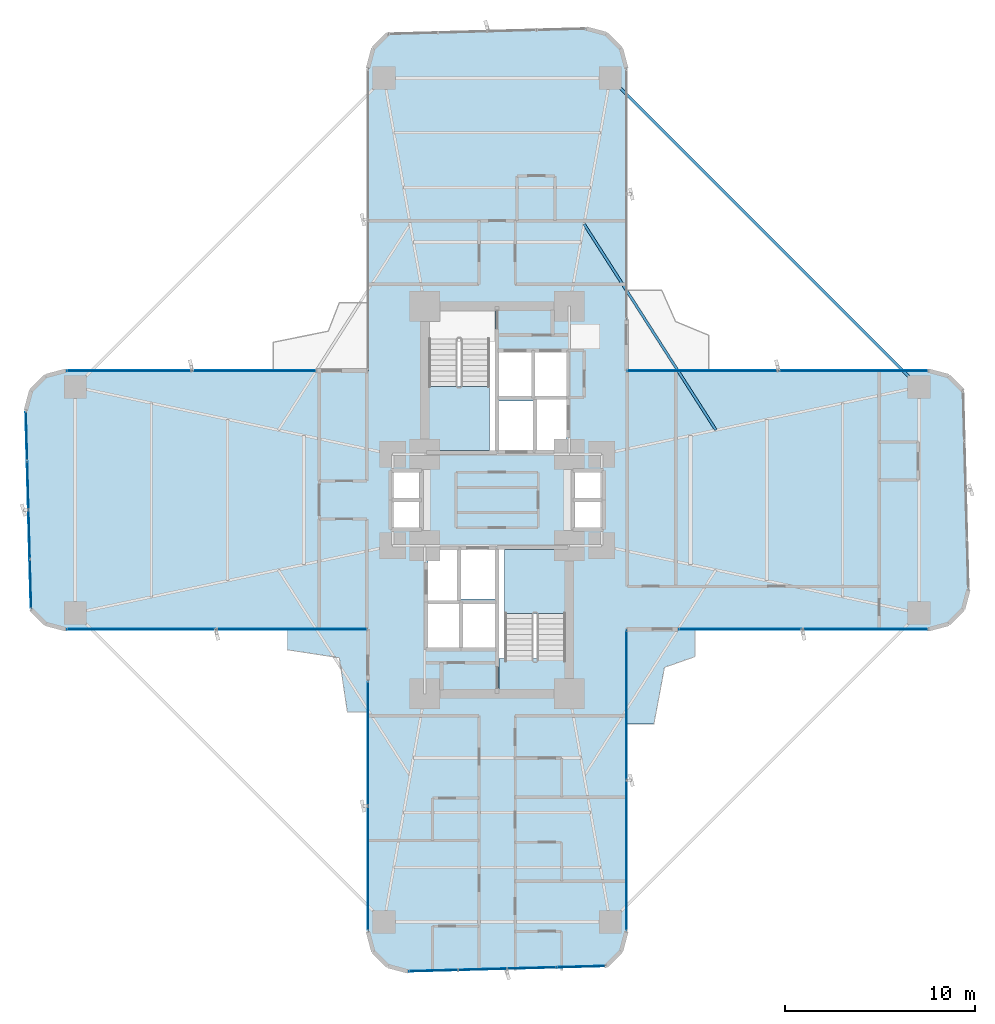
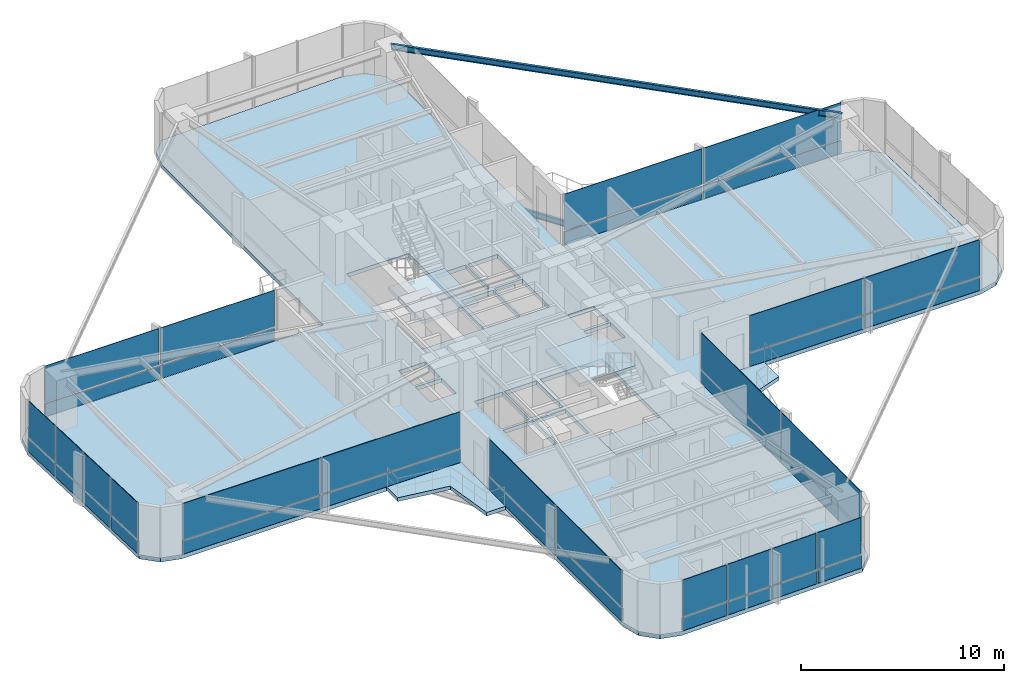
# One storey, part 20 of 25: 40 plates, 6 slabs, 2 beams, 10 elements without a shape of their own.
"""IFC4 building model written with IfcOpenShell, lengths in metres."""

from ifc_helpers import new_model, si_unit, direction, frame, origin, origin_2d, place, context, subcontext, project, spatial, polyline, rectangle, i_section, outline, extrude, source, transform, mapped, material, layer, layer_set, material_profile, profile_set, type_object, element, aggregate, save


model = new_model("IFC4")

# Units and contexts
model_context = context("Model", 3, precision=1e-05, world=origin(), true_north=direction((0.0, 1.0)))
body_context = subcontext(model_context, "Body", "Model", "MODEL_VIEW")
ifc_project = project(units=[si_unit("LENGTHUNIT", "METRE"), si_unit("AREAUNIT", "SQUARE_METRE"), si_unit("VOLUMEUNIT", "CUBIC_METRE"), si_unit("PLANEANGLEUNIT", "RADIAN"), si_unit("MASSUNIT", "GRAM", prefix="KILO")], contexts=[model_context])

# Site, building, storey
site_placement = place(None, origin())
site = spatial("IfcSite", under=ifc_project, at=site_placement, CompositionType="ELEMENT")
building_placement = place(site_placement, origin())
building = spatial("IfcBuilding", under=site, at=building_placement, Name="Sahyath Konkavel Grand Hotel", CompositionType="ELEMENT")
storey_placement = place(building_placement, frame((0.0, 0.0, 39.85009765625)))
storey = spatial("IfcBuildingStorey", under=building, at=storey_placement, Name="L10", CompositionType="ELEMENT", Elevation=39.85009765625)

# Beams
ifc_material_1 = material(Name="Steel E350", Category="steel")
ifc_material_profile_1 = material_profile(ifc_material_1, i_section(OverallWidth=0.139892578125, OverallDepth=0.35009765625, WebThickness=0.008056640625, FlangeThickness=0.01416015625, FilletRadius=0.013916015625, at=origin_2d()), Name="ISMB 350")
ifc_profile_set_1 = profile_set([ifc_material_profile_1], Name="Steel E350")
beam_type_1 = type_object("IfcBeamType", Name="BM-ISMB350", PredefinedType="BEAM", material=ifc_profile_set_1)
shared_shape_1 = source(origin(), body_context, "Body", "SweptSolid", [
    extrude(i_section(OverallWidth=0.139892578125, OverallDepth=0.35009765625, WebThickness=0.008056640625, FlangeThickness=0.01416015625, FilletRadius=0.013916015625, at=origin_2d()), origin(), (0.0, 0.0, 1.0), 22.98095703125),
])
beam_1_placement = place(storey_placement, frame((22.199951171875, 5.949951171875, 2.934814453125), z_axis=(-0.707106781187, 0.707106781187, 0.0), x_axis=(-0.707106781187, -0.707106781187, 0.0)))
element("IfcBeam", 1, at=beam_1_placement, inside=storey, type_object=beam_type_1, Name="L10 Re-Entrant Tie Beam NE", PredefinedType="BEAM", context=body_context, shape_type="MappedRepresentation", body=[
    mapped(shared_shape_1, transform((0.0, 0.0, 0.0), scale=1.0)),
])
ifc_material_profile_2 = material_profile(ifc_material_1, i_section(OverallWidth=0.139892578125, OverallDepth=0.35009765625, WebThickness=0.008056640625, FlangeThickness=0.01416015625, FilletRadius=0.013916015625, at=origin_2d()), Name="ISMB 350")
ifc_profile_set_2 = profile_set([ifc_material_profile_2], Name="Steel E350")
beam_type_2 = type_object("IfcBeamType", Name="BM-BALC-CANT", PredefinedType="BEAM", material=ifc_profile_set_2)
shared_shape_2 = source(origin(), body_context, "Body", "SweptSolid", [
    extrude(i_section(OverallWidth=0.139892578125, OverallDepth=0.35009765625, WebThickness=0.008056640625, FlangeThickness=0.01416015625, FilletRadius=0.013916015625, at=origin_2d()), origin(), (0.0, 0.0, 1.0), 12.871826171875),
])
beam_2_placement = place(storey_placement, frame((11.511962890625, 3.677978515625, -0.4150390625), z_axis=(-0.539003102535, 0.842303778608, 0.0), x_axis=(-0.842303778608, -0.539003102535, 0.0)))
element("IfcBeam", 2, at=beam_2_placement, inside=storey, type_object=beam_type_2, Name="L10 Balcony Cantilever Support Beam NE", PredefinedType="BEAM", context=body_context, shape_type="MappedRepresentation", body=[
    mapped(shared_shape_2, transform((0.0, 0.0, 0.0), scale=1.0)),
])

# Slabs
ifc_material_2 = material(Name="Concrete C40/50", Category="concrete")
ifc_layer_1 = layer(ifc_material_2, 0.239990234375)
ifc_layer_set_1 = layer_set([ifc_layer_1], Name="Concrete C40/50")
slab_type_1 = type_object("IfcSlabType", Name="SLB-240", PredefinedType="FLOOR", material=ifc_layer_set_1)
slab_1_placement = place(storey_placement, frame((0.0, 0.0, -0.239990234375)))
element("IfcSlab", 3, at=slab_1_placement, inside=storey, type_object=slab_type_1, Name="L10 Structural Floor Slab", PredefinedType="FLOOR", context=body_context, shape_type="SweptSolid", body=[
    extrude(outline(polyline([(6.800048828125, -6.800048828125), (22.699951171875, -6.800048828125), (23.75, -6.518798828125), (24.518798828125, -5.75), (24.800048828125, -4.699951171875), (24.518798828125, 5.75), (23.75, 6.518798828125), (22.699951171875, 6.800048828125), (6.800048828125, 6.800048828125), (6.800048828125, 22.699951171875), (6.518798828125, 23.75), (5.75, 24.518798828125), (4.699951171875, 24.800048828125), (-5.75, 24.518798828125), (-6.518798828125, 23.75), (-6.800048828125, 22.699951171875), (-6.800048828125, 6.800048828125), (-22.699951171875, 6.800048828125), (-23.75, 6.518798828125), (-24.518798828125, 5.75), (-24.800048828125, 4.699951171875), (-24.518798828125, -5.75), (-23.75, -6.518798828125), (-22.699951171875, -6.800048828125), (-6.800048828125, -6.800048828125), (-6.800048828125, -22.699951171875), (-6.518798828125, -23.75), (-5.75, -24.518798828125), (-4.699951171875, -24.800048828125), (5.75, -24.518798828125), (6.518798828125, -23.75), (6.800048828125, -22.699951171875), (6.800048828125, -6.800048828125)]), holes=[polyline([(-3.6201171875, 2.580078125), (-0.10009765625, 2.580078125), (-0.10009765625, 10.02001953125), (-3.6201171875, 10.02001953125), (-3.6201171875, 2.580078125)]), polyline([(0.10009765625, -10.02001953125), (3.6201171875, -10.02001953125), (3.6201171875, -2.580078125), (0.10009765625, -2.580078125), (0.10009765625, -10.02001953125)]), polyline([(0.10009765625, 2.60009765625), (1.949951171875, 2.60009765625), (1.949951171875, 5.199951171875), (0.10009765625, 5.199951171875), (0.10009765625, 2.60009765625)]), polyline([(-1.949951171875, -5.199951171875), (-0.10009765625, -5.199951171875), (-0.10009765625, -2.60009765625), (-1.949951171875, -2.60009765625), (-1.949951171875, -5.199951171875)]), polyline([(2.050048828125, 2.60009765625), (3.64990234375, 2.60009765625), (3.64990234375, 5.300048828125), (2.050048828125, 5.300048828125), (2.050048828125, 2.60009765625)]), polyline([(-3.64990234375, -5.300048828125), (-2.050048828125, -5.300048828125), (-2.050048828125, -2.60009765625), (-3.64990234375, -2.60009765625), (-3.64990234375, -5.300048828125)]), polyline([(0.10009765625, 5.449951171875), (1.85009765625, 5.449951171875), (1.85009765625, 7.75), (0.10009765625, 7.75), (0.10009765625, 5.449951171875)]), polyline([(1.949951171875, 5.449951171875), (3.64990234375, 5.449951171875), (3.64990234375, 7.75), (1.949951171875, 7.75), (1.949951171875, 5.449951171875)]), polyline([(-3.64990234375, -7.75), (-1.949951171875, -7.75), (-1.949951171875, -5.449951171875), (-3.64990234375, -5.449951171875), (-3.64990234375, -7.75)]), polyline([(-1.85009765625, -7.75), (-0.10009765625, -7.75), (-0.10009765625, -5.449951171875), (-1.85009765625, -5.449951171875), (-1.85009765625, -7.75)]), polyline([(4.050048828125, 0.080078125), (5.550048828125, 0.080078125), (5.550048828125, 1.5400390625), (4.050048828125, 1.5400390625), (4.050048828125, 0.080078125)]), polyline([(4.050048828125, -1.5400390625), (5.550048828125, -1.5400390625), (5.550048828125, -0.080078125), (4.050048828125, -0.080078125), (4.050048828125, -1.5400390625)]), polyline([(-5.550048828125, 0.080078125), (-4.050048828125, 0.080078125), (-4.050048828125, 1.5400390625), (-5.550048828125, 1.5400390625), (-5.550048828125, 0.080078125)]), polyline([(-5.550048828125, -1.5400390625), (-4.050048828125, -1.5400390625), (-4.050048828125, -0.080078125), (-5.550048828125, -0.080078125), (-5.550048828125, -1.5400390625)])]), origin(), (0.0, 0.0, 1.0), 0.239990234375),
])
ifc_layer_2 = layer(ifc_material_2, 0.219970703125)
ifc_layer_set_2 = layer_set([ifc_layer_2], Name="Concrete C40/50")
slab_type_2 = type_object("IfcSlabType", Name="SLB-BALCONY-220", PredefinedType="FLOOR", material=ifc_layer_set_2)
slab_2_placement = place(storey_placement, frame((0.0, 0.0, -0.22021484375)))
element("IfcSlab", 4, at=slab_2_placement, inside=storey, type_object=slab_type_2, Name="L10 Winter-Garden Balcony SW", PredefinedType="FLOOR", context=body_context, shape_type="SweptSolid", body=[
    extrude(outline(polyline([(-6.800048828125, -6.800048828125), (-11.044921875, -6.800048828125), (-11.044921875, -7.88134765625), (-8.302001953125, -8.302001953125), (-7.88134765625, -11.155029296875), (-6.800048828125, -11.155029296875), (-6.800048828125, -6.800048828125)])), origin(), (0.0, 0.0, 1.0), 0.22021484375),
])
slab_3_placement = place(storey_placement, frame((0.0, 0.0, -0.22021484375)))
element("IfcSlab", 5, at=slab_3_placement, inside=storey, type_object=slab_type_2, Name="L10 Winter-Garden Balcony SE", PredefinedType="FLOOR", context=body_context, shape_type="SweptSolid", body=[
    extrude(outline(polyline([(6.800048828125, -6.800048828125), (6.800048828125, -11.798095703125), (8.2451171875, -11.798095703125), (8.806884765625, -8.806884765625), (10.402099609375, -8.2451171875), (10.402099609375, -6.800048828125), (6.800048828125, -6.800048828125)])), origin(), (0.0, 0.0, 1.0), 0.22021484375),
])

# Stair, slab
stair_type = type_object("IfcStairType", Name="STR-ST16-335", PredefinedType="HALF_TURN_STAIR", material=ifc_material_2)
stair_1_placement = place(storey_placement, origin())
stair_1 = element("IfcStair", 6, at=stair_1_placement, inside=storey, type_object=stair_type, Name="L10 North Core Smokeproof Exit Stair ST-1", PredefinedType="HALF_TURN_STAIR")
ifc_layer_3 = layer(ifc_material_2, 0.199951171875)
ifc_layer_set_3 = layer_set([ifc_layer_3], Name="Concrete C40/50")
slab_type_3 = type_object("IfcSlabType", Name="SLB-STAIR-LND", PredefinedType="LANDING", material=ifc_layer_set_3)
slab_4_placement = place(storey_placement, frame((0.0, 0.0, 1.474853515625)))
slab_4 = element("IfcSlab", 7, at=slab_4_placement, type_object=slab_type_3, Name="ST-1 landing 1", PredefinedType="LANDING", context=body_context, shape_type="SweptSolid", body=[
    extrude(outline(polyline([(-3.60009765625, 5.9599609375), (-3.60009765625, 2.60009765625), (-0.39990234375, 2.60009765625), (-0.39990234375, 5.9599609375), (-3.60009765625, 5.9599609375)])), origin(), (0.0, 0.0, 1.0), 0.199951171875),
])
aggregate(stair_1, [slab_4])

stair_2_placement = place(storey_placement, origin())
stair_2 = element("IfcStair", 8, at=stair_2_placement, inside=storey, type_object=stair_type, Name="L10 South Core Smokeproof Exit Stair ST-2", PredefinedType="HALF_TURN_STAIR")
slab_5_placement = place(storey_placement, frame((0.0, 0.0, 1.474853515625)))
slab_5 = element("IfcSlab", 9, at=slab_5_placement, type_object=slab_type_3, Name="ST-2 landing 1", PredefinedType="LANDING", context=body_context, shape_type="SweptSolid", body=[
    extrude(outline(polyline([(3.60009765625, -5.9599609375), (3.60009765625, -2.60009765625), (0.39990234375, -2.60009765625), (0.39990234375, -5.9599609375), (3.60009765625, -5.9599609375)])), origin(), (0.0, 0.0, 1.0), 0.199951171875),
])
aggregate(stair_2, [slab_5])

# Slab
slab_6_placement = place(storey_placement, frame((0.0, 0.0, -0.2001953125)))
element("IfcSlab", 10, at=slab_6_placement, inside=storey, type_object=slab_type_3, Name="L10 Stair ST-2 Floor Landing Slab", PredefinedType="LANDING", context=body_context, shape_type="SweptSolid", body=[
    extrude(outline(polyline([(0.10009765625, -10.02001953125), (3.6201171875, -10.02001953125), (3.6201171875, -8.35009765625), (0.10009765625, -8.35009765625), (0.10009765625, -10.02001953125)])), origin(), (0.0, 0.0, 1.0), 0.2001953125),
])

# Curtain wall, plates
ifc_material_3 = material(Name="Anodised Bronze Aluminium & Low-E Glazing", Category="aluminium")
curtain_wall_type = type_object("IfcCurtainWallType", Name="CW-ZONE1", PredefinedType="NOTDEFINED", material=ifc_material_3)
curtain_wall_1_placement = place(storey_placement, origin())
curtain_wall_1 = element("IfcCurtainWall", 11, at=curtain_wall_1_placement, inside=storey, type_object=curtain_wall_type, Name="L10 Unitised Curtain Wall F7", PredefinedType="NOTDEFINED")
ifc_material_4 = material(Name="Warm Buff Sandstone Cladding", Category="masonry")
ifc_layer_4 = layer(ifc_material_4, 0.074951171875)
ifc_layer_set_4 = layer_set([ifc_layer_4], Name="Warm Buff Sandstone Cladding")
plate_type_1 = type_object("IfcPlateType", Name="PNL-SPANDREL-STONE", PredefinedType="SHEET", material=ifc_layer_set_4)
shared_shape_3 = source(origin(), body_context, "Body", "SweptSolid", [
    extrude(rectangle(XDim=7.830078125, YDim=0.074951171875, at=origin_2d()), origin(), (0.0, 0.0, 1.0), 0.77001953125),
])
plate_1_placement = place(storey_placement, frame((18.705078125, 6.800048828125, 0.039794921875), z_axis=(0.0, 0.0, 1.0), x_axis=(-1.0, 0.0, 0.0)))
plate_1 = element("IfcPlate", 12, at=plate_1_placement, type_object=plate_type_1, Name="L10 Sandstone Relief Spandrel Panel F7-0", PredefinedType="SHEET", context=body_context, shape_type="MappedRepresentation", body=[
    mapped(shared_shape_3, transform((0.0, 0.0, 0.0), scale=1.0)),
])
plate_2_placement = place(storey_placement, frame((10.794921875, 6.800048828125, 0.039794921875), z_axis=(0.0, 0.0, 1.0), x_axis=(-1.0, 0.0, 0.0)))
plate_2 = element("IfcPlate", 13, at=plate_2_placement, type_object=plate_type_1, Name="L10 Sandstone Relief Spandrel Panel F7-1", PredefinedType="SHEET", context=body_context, shape_type="MappedRepresentation", body=[
    mapped(shared_shape_3, transform((0.0, 0.0, 0.0), scale=1.0)),
])

curtain_wall_2_placement = place(storey_placement, origin())
curtain_wall_2 = element("IfcCurtainWall", 14, at=curtain_wall_2_placement, inside=storey, type_object=curtain_wall_type, Name="L10 Unitised Curtain Wall F23", PredefinedType="NOTDEFINED")
plate_3_placement = place(storey_placement, frame((-18.705078125, -6.800048828125, 0.039794921875), z_axis=(0.0, 0.0, 1.0), x_axis=(1.0, 0.0, 0.0)))
plate_3 = element("IfcPlate", 15, at=plate_3_placement, type_object=plate_type_1, Name="L10 Sandstone Relief Spandrel Panel F23-0", PredefinedType="SHEET", context=body_context, shape_type="MappedRepresentation", body=[
    mapped(shared_shape_3, transform((0.0, 0.0, 0.0), scale=1.0)),
])
plate_4_placement = place(storey_placement, frame((-10.794921875, -6.800048828125, 0.039794921875), z_axis=(0.0, 0.0, 1.0), x_axis=(1.0, 0.0, 0.0)))
plate_4 = element("IfcPlate", 16, at=plate_4_placement, type_object=plate_type_1, Name="L10 Sandstone Relief Spandrel Panel F23-1", PredefinedType="SHEET", context=body_context, shape_type="MappedRepresentation", body=[
    mapped(shared_shape_3, transform((0.0, 0.0, 0.0), scale=1.0)),
])

curtain_wall_3_placement = place(storey_placement, origin())
curtain_wall_3 = element("IfcCurtainWall", 17, at=curtain_wall_3_placement, inside=storey, type_object=curtain_wall_type, Name="L10 Unitised Curtain Wall F31", PredefinedType="NOTDEFINED")
plate_5_placement = place(storey_placement, frame((6.800048828125, -18.705078125, 0.039794921875), z_axis=(0.0, 0.0, 1.0), x_axis=(0.0, 1.0, 0.0)))
plate_5 = element("IfcPlate", 18, at=plate_5_placement, type_object=plate_type_1, Name="L10 Sandstone Relief Spandrel Panel F31-0", PredefinedType="SHEET", context=body_context, shape_type="MappedRepresentation", body=[
    mapped(shared_shape_3, transform((0.0, 0.0, 0.0), scale=1.0)),
])
plate_6_placement = place(storey_placement, frame((6.800048828125, -10.794921875, 0.039794921875), z_axis=(0.0, 0.0, 1.0), x_axis=(0.0, 1.0, 0.0)))
plate_6 = element("IfcPlate", 19, at=plate_6_placement, type_object=plate_type_1, Name="L10 Sandstone Relief Spandrel Panel F31-1", PredefinedType="SHEET", context=body_context, shape_type="MappedRepresentation", body=[
    mapped(shared_shape_3, transform((0.0, 0.0, 0.0), scale=1.0)),
])

# Plate
ifc_material_5 = material(Name="Low-E Solar Control Double Glazing", Category="glass")
ifc_layer_5 = layer(ifc_material_5, 0.035888671875)
ifc_layer_set_5 = layer_set([ifc_layer_5], Name="Low-E Solar Control Double Glazing")
plate_type_2 = type_object("IfcPlateType", Name="PNL-VISION-LOWE", PredefinedType="CURTAIN_PANEL", material=ifc_layer_set_5)
shared_shape_4 = source(origin(), body_context, "Body", "SweptSolid", [
    extrude(rectangle(XDim=7.830078125, YDim=0.035888671875, at=origin_2d()), origin(), (0.0, 0.0, 1.0), 2.179931640625),
])
plate_7_placement = place(storey_placement, frame((18.705078125, 6.800048828125, 0.89013671875), z_axis=(0.0, 0.0, 1.0), x_axis=(-1.0, 0.0, 0.0)))
plate_7 = element("IfcPlate", 20, at=plate_7_placement, type_object=plate_type_2, Name="L10 Low-E Vision Glazing Panel F7-0", PredefinedType="CURTAIN_PANEL", context=body_context, shape_type="MappedRepresentation", body=[
    mapped(shared_shape_4, transform((0.0, 0.0, 0.0), scale=1.0)),
])

plate_8_placement = place(storey_placement, frame((10.794921875, 6.800048828125, 0.89013671875), z_axis=(0.0, 0.0, 1.0), x_axis=(-1.0, 0.0, 0.0)))
plate_8 = element("IfcPlate", 21, at=plate_8_placement, type_object=plate_type_2, Name="L10 Low-E Vision Glazing Panel F7-1", PredefinedType="CURTAIN_PANEL", context=body_context, shape_type="MappedRepresentation", body=[
    mapped(shared_shape_4, transform((0.0, 0.0, 0.0), scale=1.0)),
])

aggregate(curtain_wall_1, [plate_1, plate_7, plate_2, plate_8])

plate_9_placement = place(storey_placement, frame((-18.705078125, -6.800048828125, 0.89013671875), z_axis=(0.0, 0.0, 1.0), x_axis=(1.0, 0.0, 0.0)))
plate_9 = element("IfcPlate", 22, at=plate_9_placement, type_object=plate_type_2, Name="L10 Low-E Vision Glazing Panel F23-0", PredefinedType="CURTAIN_PANEL", context=body_context, shape_type="MappedRepresentation", body=[
    mapped(shared_shape_4, transform((0.0, 0.0, 0.0), scale=1.0)),
])

plate_10_placement = place(storey_placement, frame((-10.794921875, -6.800048828125, 0.89013671875), z_axis=(0.0, 0.0, 1.0), x_axis=(1.0, 0.0, 0.0)))
plate_10 = element("IfcPlate", 23, at=plate_10_placement, type_object=plate_type_2, Name="L10 Low-E Vision Glazing Panel F23-1", PredefinedType="CURTAIN_PANEL", context=body_context, shape_type="MappedRepresentation", body=[
    mapped(shared_shape_4, transform((0.0, 0.0, 0.0), scale=1.0)),
])

aggregate(curtain_wall_2, [plate_3, plate_9, plate_4, plate_10])

plate_11_placement = place(storey_placement, frame((6.800048828125, -18.705078125, 0.89013671875), z_axis=(0.0, 0.0, 1.0), x_axis=(0.0, 1.0, 0.0)))
plate_11 = element("IfcPlate", 24, at=plate_11_placement, type_object=plate_type_2, Name="L10 Low-E Vision Glazing Panel F31-0", PredefinedType="CURTAIN_PANEL", context=body_context, shape_type="MappedRepresentation", body=[
    mapped(shared_shape_4, transform((0.0, 0.0, 0.0), scale=1.0)),
])

plate_12_placement = place(storey_placement, frame((6.800048828125, -10.794921875, 0.89013671875), z_axis=(0.0, 0.0, 1.0), x_axis=(0.0, 1.0, 0.0)))
plate_12 = element("IfcPlate", 25, at=plate_12_placement, type_object=plate_type_2, Name="L10 Low-E Vision Glazing Panel F31-1", PredefinedType="CURTAIN_PANEL", context=body_context, shape_type="MappedRepresentation", body=[
    mapped(shared_shape_4, transform((0.0, 0.0, 0.0), scale=1.0)),
])

aggregate(curtain_wall_3, [plate_5, plate_11, plate_6, plate_12])

# Curtain wall, plates
curtain_wall_4_placement = place(storey_placement, origin())
curtain_wall_4 = element("IfcCurtainWall", 26, at=curtain_wall_4_placement, inside=storey, type_object=curtain_wall_type, Name="L10 Unitised Curtain Wall F20", PredefinedType="NOTDEFINED")
shared_shape_5 = source(origin(), body_context, "Body", "SweptSolid", [
    extrude(rectangle(XDim=2.513427734375, YDim=0.074951171875, at=origin_2d()), origin(), (0.0, 0.0, 1.0), 0.77001953125),
])
plate_13_placement = place(storey_placement, frame((-24.763916015625, 3.36376953125, 0.039794921875), z_axis=(0.0, 0.0, 1.0), x_axis=(0.026909728301, -0.999637867691, 0.0)))
plate_13 = element("IfcPlate", 27, at=plate_13_placement, type_object=plate_type_1, Name="L10 Sandstone Relief Spandrel Panel F20-0", PredefinedType="SHEET", context=body_context, shape_type="MappedRepresentation", body=[
    mapped(shared_shape_5, transform((0.0, 0.0, 0.0), scale=1.0)),
])
plate_14_placement = place(storey_placement, frame((-24.694091796875, 0.771240234375, 0.039794921875), z_axis=(0.0, 0.0, 1.0), x_axis=(0.026909728301, -0.999637867691, 0.0)))
plate_14 = element("IfcPlate", 28, at=plate_14_placement, type_object=plate_type_1, Name="L10 Sandstone Relief Spandrel Panel F20-1", PredefinedType="SHEET", context=body_context, shape_type="MappedRepresentation", body=[
    mapped(shared_shape_5, transform((0.0, 0.0, 0.0), scale=1.0)),
])
plate_15_placement = place(storey_placement, frame((-24.62451171875, -1.8212890625, 0.039794921875), z_axis=(0.0, 0.0, 1.0), x_axis=(0.026909728301, -0.999637867691, 0.0)))
plate_15 = element("IfcPlate", 29, at=plate_15_placement, type_object=plate_type_1, Name="L10 Sandstone Relief Spandrel Panel F20-2", PredefinedType="SHEET", context=body_context, shape_type="MappedRepresentation", body=[
    mapped(shared_shape_5, transform((0.0, 0.0, 0.0), scale=1.0)),
])
plate_16_placement = place(storey_placement, frame((-24.5546875, -4.413818359375, 0.039794921875), z_axis=(0.0, 0.0, 1.0), x_axis=(0.026909728301, -0.999637867691, 0.0)))
plate_16 = element("IfcPlate", 30, at=plate_16_placement, type_object=plate_type_1, Name="L10 Sandstone Relief Spandrel Panel F20-3", PredefinedType="SHEET", context=body_context, shape_type="MappedRepresentation", body=[
    mapped(shared_shape_5, transform((0.0, 0.0, 0.0), scale=1.0)),
])

curtain_wall_5_placement = place(storey_placement, origin())
curtain_wall_5 = element("IfcCurtainWall", 31, at=curtain_wall_5_placement, inside=storey, type_object=curtain_wall_type, Name="L10 Unitised Curtain Wall F28", PredefinedType="NOTDEFINED")
plate_17_placement = place(storey_placement, frame((-3.36376953125, -24.763916015625, 0.039794921875), z_axis=(0.0, 0.0, 1.0), x_axis=(0.999637867691, 0.026909728301, 0.0)))
plate_17 = element("IfcPlate", 32, at=plate_17_placement, type_object=plate_type_1, Name="L10 Sandstone Relief Spandrel Panel F28-0", PredefinedType="SHEET", context=body_context, shape_type="MappedRepresentation", body=[
    mapped(shared_shape_5, transform((0.0, 0.0, 0.0), scale=1.0)),
])
plate_18_placement = place(storey_placement, frame((-0.771240234375, -24.694091796875, 0.039794921875), z_axis=(0.0, 0.0, 1.0), x_axis=(0.999637867691, 0.026909728301, 0.0)))
plate_18 = element("IfcPlate", 33, at=plate_18_placement, type_object=plate_type_1, Name="L10 Sandstone Relief Spandrel Panel F28-1", PredefinedType="SHEET", context=body_context, shape_type="MappedRepresentation", body=[
    mapped(shared_shape_5, transform((0.0, 0.0, 0.0), scale=1.0)),
])
plate_19_placement = place(storey_placement, frame((1.8212890625, -24.62451171875, 0.039794921875), z_axis=(0.0, 0.0, 1.0), x_axis=(0.999637867691, 0.026909728301, 0.0)))
plate_19 = element("IfcPlate", 34, at=plate_19_placement, type_object=plate_type_1, Name="L10 Sandstone Relief Spandrel Panel F28-2", PredefinedType="SHEET", context=body_context, shape_type="MappedRepresentation", body=[
    mapped(shared_shape_5, transform((0.0, 0.0, 0.0), scale=1.0)),
])
plate_20_placement = place(storey_placement, frame((4.413818359375, -24.5546875, 0.039794921875), z_axis=(0.0, 0.0, 1.0), x_axis=(0.999637867691, 0.026909728301, 0.0)))
plate_20 = element("IfcPlate", 35, at=plate_20_placement, type_object=plate_type_1, Name="L10 Sandstone Relief Spandrel Panel F28-3", PredefinedType="SHEET", context=body_context, shape_type="MappedRepresentation", body=[
    mapped(shared_shape_5, transform((0.0, 0.0, 0.0), scale=1.0)),
])

# Plate
shared_shape_6 = source(origin(), body_context, "Body", "SweptSolid", [
    extrude(rectangle(XDim=2.513427734375, YDim=0.035888671875, at=origin_2d()), origin(), (0.0, 0.0, 1.0), 2.179931640625),
])
plate_21_placement = place(storey_placement, frame((-24.763916015625, 3.36376953125, 0.89013671875), z_axis=(0.0, 0.0, 1.0), x_axis=(0.026909728301, -0.999637867691, 0.0)))
plate_21 = element("IfcPlate", 36, at=plate_21_placement, type_object=plate_type_2, Name="L10 Low-E Vision Glazing Panel F20-0", PredefinedType="CURTAIN_PANEL", context=body_context, shape_type="MappedRepresentation", body=[
    mapped(shared_shape_6, transform((0.0, 0.0, 0.0), scale=1.0)),
])

plate_22_placement = place(storey_placement, frame((-24.694091796875, 0.771240234375, 0.89013671875), z_axis=(0.0, 0.0, 1.0), x_axis=(0.026909728301, -0.999637867691, 0.0)))
plate_22 = element("IfcPlate", 37, at=plate_22_placement, type_object=plate_type_2, Name="L10 Low-E Vision Glazing Panel F20-1", PredefinedType="CURTAIN_PANEL", context=body_context, shape_type="MappedRepresentation", body=[
    mapped(shared_shape_6, transform((0.0, 0.0, 0.0), scale=1.0)),
])

plate_23_placement = place(storey_placement, frame((-24.62451171875, -1.8212890625, 0.89013671875), z_axis=(0.0, 0.0, 1.0), x_axis=(0.026909728301, -0.999637867691, 0.0)))
plate_23 = element("IfcPlate", 38, at=plate_23_placement, type_object=plate_type_2, Name="L10 Low-E Vision Glazing Panel F20-2", PredefinedType="CURTAIN_PANEL", context=body_context, shape_type="MappedRepresentation", body=[
    mapped(shared_shape_6, transform((0.0, 0.0, 0.0), scale=1.0)),
])

plate_24_placement = place(storey_placement, frame((-24.5546875, -4.413818359375, 0.89013671875), z_axis=(0.0, 0.0, 1.0), x_axis=(0.026909728301, -0.999637867691, 0.0)))
plate_24 = element("IfcPlate", 39, at=plate_24_placement, type_object=plate_type_2, Name="L10 Low-E Vision Glazing Panel F20-3", PredefinedType="CURTAIN_PANEL", context=body_context, shape_type="MappedRepresentation", body=[
    mapped(shared_shape_6, transform((0.0, 0.0, 0.0), scale=1.0)),
])

aggregate(curtain_wall_4, [plate_13, plate_21, plate_14, plate_22, plate_15, plate_23, plate_16, plate_24])

plate_25_placement = place(storey_placement, frame((-3.36376953125, -24.763916015625, 0.89013671875), z_axis=(0.0, 0.0, 1.0), x_axis=(0.999637867691, 0.026909728301, 0.0)))
plate_25 = element("IfcPlate", 40, at=plate_25_placement, type_object=plate_type_2, Name="L10 Low-E Vision Glazing Panel F28-0", PredefinedType="CURTAIN_PANEL", context=body_context, shape_type="MappedRepresentation", body=[
    mapped(shared_shape_6, transform((0.0, 0.0, 0.0), scale=1.0)),
])

plate_26_placement = place(storey_placement, frame((-0.771240234375, -24.694091796875, 0.89013671875), z_axis=(0.0, 0.0, 1.0), x_axis=(0.999637867691, 0.026909728301, 0.0)))
plate_26 = element("IfcPlate", 41, at=plate_26_placement, type_object=plate_type_2, Name="L10 Low-E Vision Glazing Panel F28-1", PredefinedType="CURTAIN_PANEL", context=body_context, shape_type="MappedRepresentation", body=[
    mapped(shared_shape_6, transform((0.0, 0.0, 0.0), scale=1.0)),
])

plate_27_placement = place(storey_placement, frame((1.8212890625, -24.62451171875, 0.89013671875), z_axis=(0.0, 0.0, 1.0), x_axis=(0.999637867691, 0.026909728301, 0.0)))
plate_27 = element("IfcPlate", 42, at=plate_27_placement, type_object=plate_type_2, Name="L10 Low-E Vision Glazing Panel F28-2", PredefinedType="CURTAIN_PANEL", context=body_context, shape_type="MappedRepresentation", body=[
    mapped(shared_shape_6, transform((0.0, 0.0, 0.0), scale=1.0)),
])

plate_28_placement = place(storey_placement, frame((4.413818359375, -24.5546875, 0.89013671875), z_axis=(0.0, 0.0, 1.0), x_axis=(0.999637867691, 0.026909728301, 0.0)))
plate_28 = element("IfcPlate", 43, at=plate_28_placement, type_object=plate_type_2, Name="L10 Low-E Vision Glazing Panel F28-3", PredefinedType="CURTAIN_PANEL", context=body_context, shape_type="MappedRepresentation", body=[
    mapped(shared_shape_6, transform((0.0, 0.0, 0.0), scale=1.0)),
])

aggregate(curtain_wall_5, [plate_17, plate_25, plate_18, plate_26, plate_19, plate_27, plate_20, plate_28])

# Curtain wall, plates
curtain_wall_6_placement = place(storey_placement, origin())
curtain_wall_6 = element("IfcCurtainWall", 44, at=curtain_wall_6_placement, inside=storey, type_object=curtain_wall_type, Name="L10 Unitised Curtain Wall F0", PredefinedType="NOTDEFINED")
shared_shape_7 = source(origin(), body_context, "Body", "SweptSolid", [
    extrude(rectangle(XDim=6.47998046875, YDim=0.074951171875, at=origin_2d()), origin(), (0.0, 0.0, 1.0), 0.77001953125),
])
plate_29_placement = place(storey_placement, frame((12.820068359375, -6.800048828125, 0.039794921875), z_axis=(0.0, 0.0, 1.0), x_axis=(1.0, 0.0, 0.0)))
plate_29 = element("IfcPlate", 45, at=plate_29_placement, type_object=plate_type_1, Name="L10 Sandstone Relief Spandrel Panel F0-0", PredefinedType="SHEET", context=body_context, shape_type="MappedRepresentation", body=[
    mapped(shared_shape_7, transform((0.0, 0.0, 0.0), scale=1.0)),
])
plate_30_placement = place(storey_placement, frame((19.3798828125, -6.800048828125, 0.039794921875), z_axis=(0.0, 0.0, 1.0), x_axis=(1.0, 0.0, 0.0)))
plate_30 = element("IfcPlate", 46, at=plate_30_placement, type_object=plate_type_1, Name="L10 Sandstone Relief Spandrel Panel F0-1", PredefinedType="SHEET", context=body_context, shape_type="MappedRepresentation", body=[
    mapped(shared_shape_7, transform((0.0, 0.0, 0.0), scale=1.0)),
])

curtain_wall_7_placement = place(storey_placement, origin())
curtain_wall_7 = element("IfcCurtainWall", 47, at=curtain_wall_7_placement, inside=storey, type_object=curtain_wall_type, Name="L10 Unitised Curtain Wall F16", PredefinedType="NOTDEFINED")
plate_31_placement = place(storey_placement, frame((-12.820068359375, 6.800048828125, 0.039794921875), z_axis=(0.0, 0.0, 1.0), x_axis=(-1.0, 0.0, 0.0)))
plate_31 = element("IfcPlate", 48, at=plate_31_placement, type_object=plate_type_1, Name="L10 Sandstone Relief Spandrel Panel F16-0", PredefinedType="SHEET", context=body_context, shape_type="MappedRepresentation", body=[
    mapped(shared_shape_7, transform((0.0, 0.0, 0.0), scale=1.0)),
])
plate_32_placement = place(storey_placement, frame((-19.3798828125, 6.800048828125, 0.039794921875), z_axis=(0.0, 0.0, 1.0), x_axis=(-1.0, 0.0, 0.0)))
plate_32 = element("IfcPlate", 49, at=plate_32_placement, type_object=plate_type_1, Name="L10 Sandstone Relief Spandrel Panel F16-1", PredefinedType="SHEET", context=body_context, shape_type="MappedRepresentation", body=[
    mapped(shared_shape_7, transform((0.0, 0.0, 0.0), scale=1.0)),
])

curtain_wall_8_placement = place(storey_placement, origin())
curtain_wall_8 = element("IfcCurtainWall", 50, at=curtain_wall_8_placement, inside=storey, type_object=curtain_wall_type, Name="L10 Unitised Curtain Wall F24", PredefinedType="NOTDEFINED")
plate_33_placement = place(storey_placement, frame((-6.800048828125, -12.820068359375, 0.039794921875), z_axis=(0.0, 0.0, 1.0), x_axis=(0.0, -1.0, 0.0)))
plate_33 = element("IfcPlate", 51, at=plate_33_placement, type_object=plate_type_1, Name="L10 Sandstone Relief Spandrel Panel F24-0", PredefinedType="SHEET", context=body_context, shape_type="MappedRepresentation", body=[
    mapped(shared_shape_7, transform((0.0, 0.0, 0.0), scale=1.0)),
])
plate_34_placement = place(storey_placement, frame((-6.800048828125, -19.3798828125, 0.039794921875), z_axis=(0.0, 0.0, 1.0), x_axis=(0.0, -1.0, 0.0)))
plate_34 = element("IfcPlate", 52, at=plate_34_placement, type_object=plate_type_1, Name="L10 Sandstone Relief Spandrel Panel F24-1", PredefinedType="SHEET", context=body_context, shape_type="MappedRepresentation", body=[
    mapped(shared_shape_7, transform((0.0, 0.0, 0.0), scale=1.0)),
])

# Plate
shared_shape_8 = source(origin(), body_context, "Body", "SweptSolid", [
    extrude(rectangle(XDim=6.47998046875, YDim=0.035888671875, at=origin_2d()), origin(), (0.0, 0.0, 1.0), 2.179931640625),
])
plate_35_placement = place(storey_placement, frame((12.820068359375, -6.800048828125, 0.89013671875), z_axis=(0.0, 0.0, 1.0), x_axis=(1.0, 0.0, 0.0)))
plate_35 = element("IfcPlate", 53, at=plate_35_placement, type_object=plate_type_2, Name="L10 Low-E Vision Glazing Panel F0-0", PredefinedType="CURTAIN_PANEL", context=body_context, shape_type="MappedRepresentation", body=[
    mapped(shared_shape_8, transform((0.0, 0.0, 0.0), scale=1.0)),
])

plate_36_placement = place(storey_placement, frame((19.3798828125, -6.800048828125, 0.89013671875), z_axis=(0.0, 0.0, 1.0), x_axis=(1.0, 0.0, 0.0)))
plate_36 = element("IfcPlate", 54, at=plate_36_placement, type_object=plate_type_2, Name="L10 Low-E Vision Glazing Panel F0-1", PredefinedType="CURTAIN_PANEL", context=body_context, shape_type="MappedRepresentation", body=[
    mapped(shared_shape_8, transform((0.0, 0.0, 0.0), scale=1.0)),
])

aggregate(curtain_wall_6, [plate_29, plate_35, plate_30, plate_36])

plate_37_placement = place(storey_placement, frame((-12.820068359375, 6.800048828125, 0.89013671875), z_axis=(0.0, 0.0, 1.0), x_axis=(-1.0, 0.0, 0.0)))
plate_37 = element("IfcPlate", 55, at=plate_37_placement, type_object=plate_type_2, Name="L10 Low-E Vision Glazing Panel F16-0", PredefinedType="CURTAIN_PANEL", context=body_context, shape_type="MappedRepresentation", body=[
    mapped(shared_shape_8, transform((0.0, 0.0, 0.0), scale=1.0)),
])

plate_38_placement = place(storey_placement, frame((-19.3798828125, 6.800048828125, 0.89013671875), z_axis=(0.0, 0.0, 1.0), x_axis=(-1.0, 0.0, 0.0)))
plate_38 = element("IfcPlate", 56, at=plate_38_placement, type_object=plate_type_2, Name="L10 Low-E Vision Glazing Panel F16-1", PredefinedType="CURTAIN_PANEL", context=body_context, shape_type="MappedRepresentation", body=[
    mapped(shared_shape_8, transform((0.0, 0.0, 0.0), scale=1.0)),
])

aggregate(curtain_wall_7, [plate_31, plate_37, plate_32, plate_38])

plate_39_placement = place(storey_placement, frame((-6.800048828125, -12.820068359375, 0.89013671875), z_axis=(0.0, 0.0, 1.0), x_axis=(0.0, -1.0, 0.0)))
plate_39 = element("IfcPlate", 57, at=plate_39_placement, type_object=plate_type_2, Name="L10 Low-E Vision Glazing Panel F24-0", PredefinedType="CURTAIN_PANEL", context=body_context, shape_type="MappedRepresentation", body=[
    mapped(shared_shape_8, transform((0.0, 0.0, 0.0), scale=1.0)),
])

plate_40_placement = place(storey_placement, frame((-6.800048828125, -19.3798828125, 0.89013671875), z_axis=(0.0, 0.0, 1.0), x_axis=(0.0, -1.0, 0.0)))
plate_40 = element("IfcPlate", 58, at=plate_40_placement, type_object=plate_type_2, Name="L10 Low-E Vision Glazing Panel F24-1", PredefinedType="CURTAIN_PANEL", context=body_context, shape_type="MappedRepresentation", body=[
    mapped(shared_shape_8, transform((0.0, 0.0, 0.0), scale=1.0)),
])

aggregate(curtain_wall_8, [plate_33, plate_39, plate_34, plate_40])

save(model, "model.ifc")
